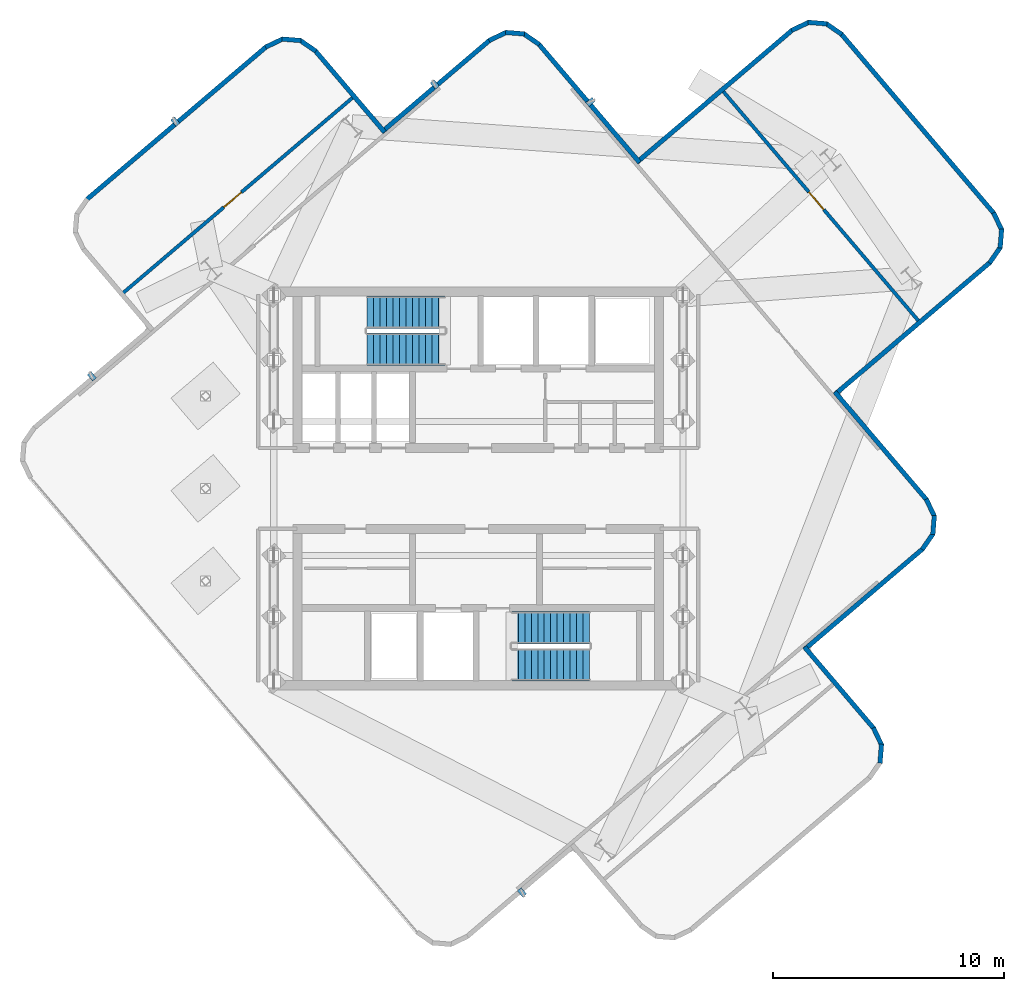
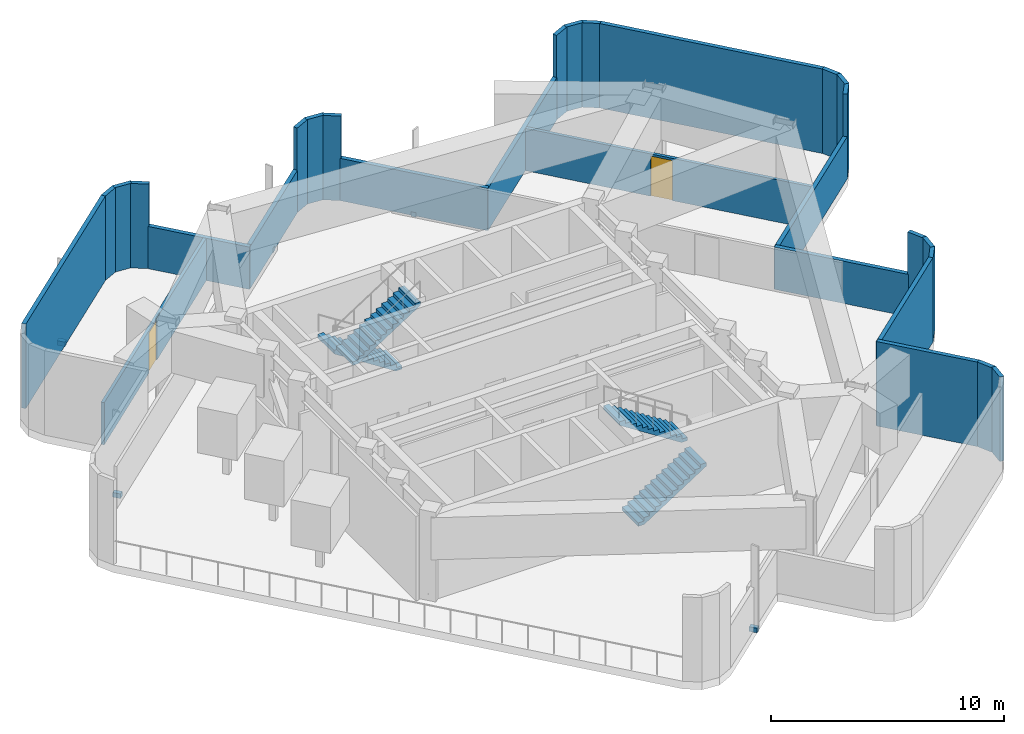
# One storey, part 4 of 7: 29 walls, 5 discrete accessories, 4 stair flights, 2 doors, 2 openings, 2 elements without a shape of their own.
"""IFC4 building model written with IfcOpenShell, lengths in metres."""

from ifc_helpers import new_model, si_unit, direction, frame, frame_2d, origin, origin_2d, place, context, subcontext, project, spatial, polyline, rectangle, outline, extrude, material, layer, layer_set, type_object, element, fill, aggregate, save


model = new_model("IFC4")

# Units and contexts
model_context = context("Model", 3, precision=1e-05, world=origin(), true_north=direction((0.0, 1.0)))
body_context = subcontext(model_context, "Body", "Model", "MODEL_VIEW")
ifc_project = project(units=[si_unit("LENGTHUNIT", "METRE"), si_unit("AREAUNIT", "SQUARE_METRE"), si_unit("VOLUMEUNIT", "CUBIC_METRE"), si_unit("PLANEANGLEUNIT", "RADIAN"), si_unit("MASSUNIT", "GRAM", prefix="KILO")], contexts=[model_context])

# Site, building, storey
site_placement = place(None, origin())
site = spatial("IfcSite", under=ifc_project, at=site_placement, CompositionType="ELEMENT")
building_placement = place(site_placement, origin())
building = spatial("IfcBuilding", under=site, at=building_placement, Name="Solmarez Civic Tower", CompositionType="ELEMENT")
storey_placement = place(building_placement, frame((0.0, 0.0, 239.39990234375)))
storey = spatial("IfcBuildingStorey", under=building, at=storey_placement, Name="L64", CompositionType="ELEMENT", Elevation=239.39990234375)

# Walls
ifc_material_1 = material(Name="Precast concrete C40/50", Category="concrete")
ifc_layer_1 = layer(ifc_material_1, 0.199951171875)
ifc_layer_set_1 = layer_set([ifc_layer_1], Name="Precast concrete C40/50")
wall_type_1 = type_object("IfcWallType", Name="WALL-EXT-200", PredefinedType="SOLIDWALL", material=ifc_layer_set_1)
wall_1_placement = place(storey_placement, frame((-16.950927734375, 12.492919921875, 0.0), z_axis=(0.0, 0.0, 1.0), x_axis=(0.761554435907, 0.648100949814, 0.0)))
element("IfcWall", 1, at=wall_1_placement, inside=storey, type_object=wall_type_1, Name="L64 Exterior Precast Wall 17", PredefinedType="SOLIDWALL", context=body_context, shape_type="SweptSolid", body=[
    extrude(rectangle(XDim=10.2236328125, YDim=0.199951171875, at=frame_2d((5.11181640625, 0.0))), origin(), (0.0, 0.0, 1.0), 4.420166015625),
])
wall_2_placement = place(storey_placement, frame((-9.20703125, 19.092041015625, 0.0), z_axis=(0.0, 0.0, 1.0), x_axis=(0.903376142734, 0.428849093201, 0.0)))
element("IfcWall", 2, at=wall_2_placement, inside=storey, type_object=wall_type_1, Name="L64 Exterior Precast Wall 18", PredefinedType="SOLIDWALL", context=body_context, shape_type="SweptSolid", body=[
    extrude(rectangle(XDim=0.839111328125, YDim=0.199951171875, at=frame_2d((0.41943359375, 0.0))), origin(), (0.0, 0.0, 1.0), 4.420166015625),
])
wall_3_placement = place(storey_placement, frame((-8.4970703125, 19.443115234375, 0.0), z_axis=(0.0, 0.0, 1.0), x_axis=(0.996776567966, -0.080227635853, 0.0)))
element("IfcWall", 3, at=wall_3_placement, inside=storey, type_object=wall_type_1, Name="L64 Exterior Precast Wall 19", PredefinedType="SOLIDWALL", context=body_context, shape_type="SweptSolid", body=[
    extrude(rectangle(XDim=0.82470703125, YDim=0.199951171875, at=frame_2d((0.412353515625, 0.0))), origin(), (0.0, 0.0, 1.0), 4.420166015625),
])
wall_4_placement = place(storey_placement, frame((-7.720947265625, 19.39306640625, 0.0), z_axis=(0.0, 0.0, 1.0), x_axis=(0.823447180448, -0.567392933524, 0.0)))
element("IfcWall", 4, at=wall_4_placement, inside=storey, type_object=wall_type_1, Name="L64 Exterior Precast Wall 20", PredefinedType="SOLIDWALL", context=body_context, shape_type="SweptSolid", body=[
    extrude(rectangle(XDim=0.839111328125, YDim=0.199951171875, at=frame_2d((0.41943359375, 0.0))), origin(), (0.0, 0.0, 1.0), 4.420166015625),
])
wall_5_placement = place(storey_placement, frame((-7.06689453125, 18.949951171875, 0.0), z_axis=(0.0, 0.0, 1.0), x_axis=(0.648040740079, -0.761605671721, 0.0)))
element("IfcWall", 5, at=wall_5_placement, inside=storey, type_object=wall_type_1, Name="L64 Exterior Precast Wall 21", PredefinedType="SOLIDWALL", context=body_context, shape_type="SweptSolid", body=[
    extrude(rectangle(XDim=4.641357421875, YDim=0.199951171875, at=frame_2d((2.32080078125, 0.0))), origin(), (0.0, 0.0, 1.0), 2.212158203125),
])
wall_6_placement = place(storey_placement, frame((-4.172119140625, 15.424072265625, 0.0), z_axis=(0.0, 0.0, 1.0), x_axis=(0.761580290689, 0.648070567789, 0.0)))
element("IfcWall", 6, at=wall_6_placement, inside=storey, type_object=wall_type_1, Name="L64 Exterior Precast Wall 24", PredefinedType="SOLIDWALL", context=body_context, shape_type="SweptSolid", body=[
    extrude(rectangle(XDim=6.142822265625, YDim=0.199951171875, at=frame_2d((3.0712890625, 0.0))), origin(), (0.0, 0.0, 1.0), 2.212158203125),
])
wall_7_placement = place(storey_placement, frame((0.464111328125, 19.3779296875, 0.0), z_axis=(0.0, 0.0, 1.0), x_axis=(0.903209829664, 0.429199258619, 0.0)))
element("IfcWall", 7, at=wall_7_placement, inside=storey, type_object=wall_type_1, Name="L64 Exterior Precast Wall 25", PredefinedType="SOLIDWALL", context=body_context, shape_type="SweptSolid", body=[
    extrude(rectangle(XDim=0.839111328125, YDim=0.199951171875, at=frame_2d((0.41943359375, 0.0))), origin(), (0.0, 0.0, 1.0), 4.420166015625),
])
wall_8_placement = place(storey_placement, frame((1.174072265625, 19.72900390625, 0.0), z_axis=(0.0, 0.0, 1.0), x_axis=(0.996800199392, -0.079933487923, 0.0)))
element("IfcWall", 8, at=wall_8_placement, inside=storey, type_object=wall_type_1, Name="L64 Exterior Precast Wall 26", PredefinedType="SOLIDWALL", context=body_context, shape_type="SweptSolid", body=[
    extrude(rectangle(XDim=0.82470703125, YDim=0.199951171875, at=frame_2d((0.412353515625, 0.0))), origin(), (0.0, 0.0, 1.0), 4.420166015625),
])
wall_9_placement = place(storey_placement, frame((1.949951171875, 19.678955078125, 0.0), z_axis=(0.0, 0.0, 1.0), x_axis=(0.823540820379, -0.567257011565, 0.0)))
element("IfcWall", 9, at=wall_9_placement, inside=storey, type_object=wall_type_1, Name="L64 Exterior Precast Wall 27", PredefinedType="SOLIDWALL", context=body_context, shape_type="SweptSolid", body=[
    extrude(rectangle(XDim=0.83935546875, YDim=0.199951171875, at=frame_2d((0.419677734375, 0.0))), origin(), (0.0, 0.0, 1.0), 4.420166015625),
])
wall_10_placement = place(storey_placement, frame((2.60400390625, 19.236083984375, 0.0), z_axis=(0.0, 0.0, 1.0), x_axis=(0.648076175867, -0.761575518431, 0.0)))
element("IfcWall", 10, at=wall_10_placement, inside=storey, type_object=wall_type_1, Name="L64 Exterior Precast Wall 28", PredefinedType="SOLIDWALL", context=body_context, shape_type="SweptSolid", body=[
    extrude(rectangle(XDim=6.7412109375, YDim=0.199951171875, at=frame_2d((3.37060546875, 0.0))), origin(), (0.0, 0.0, 1.0), 2.212158203125),
])
wall_11_placement = place(storey_placement, frame((6.860107421875, 14.111083984375, 0.0), z_axis=(0.0, 0.0, 1.0), x_axis=(0.761539969586, 0.648117948157, 0.0)))
element("IfcWall", 11, at=wall_11_placement, inside=storey, type_object=wall_type_1, Name="L64 Exterior Precast Wall 31", PredefinedType="SOLIDWALL", context=body_context, shape_type="SweptSolid", body=[
    extrude(rectangle(XDim=8.842529296875, YDim=0.199951171875, at=frame_2d((4.42138671875, 0.0))), origin(), (0.0, 0.0, 1.0), 2.212158203125),
])
wall_12_placement = place(storey_placement, frame((13.552001953125, 19.81494140625, 0.0), z_axis=(0.0, 0.0, 1.0), x_axis=(0.903263411017, 0.429086483494, 0.0)))
element("IfcWall", 12, at=wall_12_placement, inside=storey, type_object=wall_type_1, Name="L64 Exterior Precast Wall 32", PredefinedType="SOLIDWALL", context=body_context, shape_type="SweptSolid", body=[
    extrude(rectangle(XDim=0.83935546875, YDim=0.199951171875, at=frame_2d((0.419677734375, 0.0))), origin(), (0.0, 0.0, 1.0), 4.420166015625),
])
wall_13_placement = place(storey_placement, frame((14.261962890625, 20.166015625, 0.0), z_axis=(0.0, 0.0, 1.0), x_axis=(0.996800199392, -0.079933487923, 0.0)))
element("IfcWall", 13, at=wall_13_placement, inside=storey, type_object=wall_type_1, Name="L64 Exterior Precast Wall 33", PredefinedType="SOLIDWALL", context=body_context, shape_type="SweptSolid", body=[
    extrude(rectangle(XDim=0.82470703125, YDim=0.199951171875, at=frame_2d((0.412353515625, 0.0))), origin(), (0.0, 0.0, 1.0), 4.420166015625),
])
wall_14_placement = place(storey_placement, frame((15.0380859375, 20.115966796875, 0.0), z_axis=(0.0, 0.0, 1.0), x_axis=(0.823447180448, -0.567392933524, 0.0)))
element("IfcWall", 14, at=wall_14_placement, inside=storey, type_object=wall_type_1, Name="L64 Exterior Precast Wall 34", PredefinedType="SOLIDWALL", context=body_context, shape_type="SweptSolid", body=[
    extrude(rectangle(XDim=0.839111328125, YDim=0.199951171875, at=frame_2d((0.41943359375, 0.0))), origin(), (0.0, 0.0, 1.0), 4.420166015625),
])
wall_15_placement = place(storey_placement, frame((15.69189453125, 19.673095703125, 0.0), z_axis=(0.0, 0.0, 1.0), x_axis=(0.648033760004, -0.761611610925, 0.0)))
element("IfcWall", 15, at=wall_15_placement, inside=storey, type_object=wall_type_1, Name="L64 Exterior Precast Wall 35", PredefinedType="SOLIDWALL", context=body_context, shape_type="SweptSolid", body=[
    extrude(rectangle(XDim=10.22314453125, YDim=0.199951171875, at=frame_2d((5.111572265625, 0.0))), origin(), (0.0, 0.0, 1.0), 4.420166015625),
])
wall_16_placement = place(storey_placement, frame((22.2900390625, 11.928955078125, 0.0), z_axis=(0.0, 0.0, 1.0), x_axis=(0.428849093201, -0.903376142734, 0.0)))
element("IfcWall", 16, at=wall_16_placement, inside=storey, type_object=wall_type_1, Name="L64 Exterior Precast Wall 36", PredefinedType="SOLIDWALL", context=body_context, shape_type="SweptSolid", body=[
    extrude(rectangle(XDim=0.839111328125, YDim=0.199951171875, at=frame_2d((0.41943359375, 0.0))), origin(), (0.0, 0.0, 1.0), 4.420166015625),
])
wall_17_placement = place(storey_placement, frame((22.64111328125, 11.218994140625, 0.0), z_axis=(0.0, 0.0, 1.0), x_axis=(-0.080227635853, -0.996776567966, 0.0)))
element("IfcWall", 17, at=wall_17_placement, inside=storey, type_object=wall_type_1, Name="L64 Exterior Precast Wall 37", PredefinedType="SOLIDWALL", context=body_context, shape_type="SweptSolid", body=[
    extrude(rectangle(XDim=0.82470703125, YDim=0.199951171875, at=frame_2d((0.412353515625, 0.0))), origin(), (0.0, 0.0, 1.0), 4.420166015625),
])
wall_18_placement = place(storey_placement, frame((22.591064453125, 10.443115234375, 0.0), z_axis=(0.0, 0.0, 1.0), x_axis=(-0.56646705089, -0.824084389038, 0.0)))
element("IfcWall", 18, at=wall_18_placement, inside=storey, type_object=wall_type_1, Name="L64 Exterior Precast Wall 38", PredefinedType="SOLIDWALL", context=body_context, shape_type="SweptSolid", body=[
    extrude(rectangle(XDim=0.838623046875, YDim=0.199951171875, at=frame_2d((0.41943359375, 0.0))), origin(), (0.0, 0.0, 1.0), 4.420166015625),
])
wall_19_placement = place(storey_placement, frame((22.14892578125, 9.7890625, 0.0), z_axis=(0.0, 0.0, 1.0), x_axis=(-0.761594480481, -0.648053892281, 0.0)))
element("IfcWall", 19, at=wall_19_placement, inside=storey, type_object=wall_type_1, Name="L64 Exterior Precast Wall 39", PredefinedType="SOLIDWALL", context=body_context, shape_type="SweptSolid", body=[
    extrude(rectangle(XDim=8.841796875, YDim=0.199951171875, at=frame_2d((4.4208984375, 0.0))), origin(), (0.0, 0.0, 1.0), 2.212158203125),
])
wall_20_placement = place(storey_placement, frame((15.424072265625, 4.172119140625, 0.0), z_axis=(0.0, 0.0, 1.0), x_axis=(0.648070567789, -0.761580290689, 0.0)))
element("IfcWall", 20, at=wall_20_placement, inside=storey, type_object=wall_type_1, Name="L64 Exterior Precast Wall 42", PredefinedType="SOLIDWALL", context=body_context, shape_type="SweptSolid", body=[
    extrude(rectangle(XDim=6.142822265625, YDim=0.199951171875, at=frame_2d((3.0712890625, 0.0))), origin(), (0.0, 0.0, 1.0), 2.212158203125),
])
wall_21_placement = place(storey_placement, frame((19.3779296875, -0.464111328125, 0.0), z_axis=(0.0, 0.0, 1.0), x_axis=(0.429199258619, -0.903209829664, 0.0)))
element("IfcWall", 21, at=wall_21_placement, inside=storey, type_object=wall_type_1, Name="L64 Exterior Precast Wall 43", PredefinedType="SOLIDWALL", context=body_context, shape_type="SweptSolid", body=[
    extrude(rectangle(XDim=0.839111328125, YDim=0.199951171875, at=frame_2d((0.41943359375, 0.0))), origin(), (0.0, 0.0, 1.0), 4.420166015625),
])
wall_22_placement = place(storey_placement, frame((19.72900390625, -1.174072265625, 0.0), z_axis=(0.0, 0.0, 1.0), x_axis=(-0.079933487923, -0.996800199392, 0.0)))
element("IfcWall", 22, at=wall_22_placement, inside=storey, type_object=wall_type_1, Name="L64 Exterior Precast Wall 44", PredefinedType="SOLIDWALL", context=body_context, shape_type="SweptSolid", body=[
    extrude(rectangle(XDim=0.82470703125, YDim=0.199951171875, at=frame_2d((0.412353515625, 0.0))), origin(), (0.0, 0.0, 1.0), 4.420166015625),
])
wall_23_placement = place(storey_placement, frame((19.678955078125, -1.949951171875, 0.0), z_axis=(0.0, 0.0, 1.0), x_axis=(-0.567257011565, -0.823540820379, 0.0)))
element("IfcWall", 23, at=wall_23_placement, inside=storey, type_object=wall_type_1, Name="L64 Exterior Precast Wall 45", PredefinedType="SOLIDWALL", context=body_context, shape_type="SweptSolid", body=[
    extrude(rectangle(XDim=0.83935546875, YDim=0.199951171875, at=frame_2d((0.419677734375, 0.0))), origin(), (0.0, 0.0, 1.0), 4.420166015625),
])
wall_24_placement = place(storey_placement, frame((19.236083984375, -2.60400390625, 0.0), z_axis=(0.0, 0.0, 1.0), x_axis=(-0.761575518431, -0.648076175867, 0.0)))
element("IfcWall", 24, at=wall_24_placement, inside=storey, type_object=wall_type_1, Name="L64 Exterior Precast Wall 46", PredefinedType="SOLIDWALL", context=body_context, shape_type="SweptSolid", body=[
    extrude(rectangle(XDim=6.7412109375, YDim=0.199951171875, at=frame_2d((3.37060546875, 0.0))), origin(), (0.0, 0.0, 1.0), 4.420166015625),
])
wall_25_placement = place(storey_placement, frame((14.111083984375, -6.860107421875, 0.0), z_axis=(0.0, 0.0, 1.0), x_axis=(0.648040740079, -0.761605671721, 0.0)))
element("IfcWall", 25, at=wall_25_placement, inside=storey, type_object=wall_type_1, Name="L64 Exterior Precast Wall 49", PredefinedType="SOLIDWALL", context=body_context, shape_type="SweptSolid", body=[
    extrude(rectangle(XDim=4.641357421875, YDim=0.199951171875, at=frame_2d((2.32080078125, 0.0))), origin(), (0.0, 0.0, 1.0), 4.420166015625),
])
wall_26_placement = place(storey_placement, frame((17.092041015625, -10.35302734375, 0.0), z_axis=(0.0, 0.0, 1.0), x_axis=(0.42979812108, -0.902925010793, 0.0)))
element("IfcWall", 26, at=wall_26_placement, inside=storey, type_object=wall_type_1, Name="L64 Exterior Precast Wall 50", PredefinedType="SOLIDWALL", context=body_context, shape_type="SweptSolid", body=[
    extrude(rectangle(XDim=0.839599609375, YDim=0.199951171875, at=frame_2d((0.419921875, 0.0))), origin(), (0.0, 0.0, 1.0), 4.420166015625),
])
wall_27_placement = place(storey_placement, frame((17.444091796875, -11.06298828125, 0.0), z_axis=(0.0, 0.0, 1.0), x_axis=(-0.081404017248, -0.996681185724, 0.0)))
element("IfcWall", 27, at=wall_27_placement, inside=storey, type_object=wall_type_1, Name="L64 Exterior Precast Wall 51", PredefinedType="SOLIDWALL", context=body_context, shape_type="SweptSolid", body=[
    extrude(rectangle(XDim=0.82470703125, YDim=0.199951171875, at=frame_2d((0.412353515625, 0.0))), origin(), (0.0, 0.0, 1.0), 4.420166015625),
])

# Wall, opening, door
ifc_material_2 = material(Name="Gypsum Board Acoustic Steel-Stud Partition", Category="steel")
ifc_layer_2 = layer(ifc_material_2, 0.14990234375)
ifc_layer_set_2 = layer_set([ifc_layer_2], Name="Gypsum Board Acoustic Steel-Stud Partition")
wall_type_2 = type_object("IfcWallType", Name="WALL-INT-FIRE-150", PredefinedType="PARTITIONING", material=ifc_layer_set_2)
wall_28_placement = place(storey_placement, frame((10.580078125, 17.19189453125, 0.0), z_axis=(0.0, 0.0, 1.0), x_axis=(0.648136838455, -0.761523892362, 0.0)))
wall_28 = element("IfcWall", 28, at=wall_28_placement, inside=storey, type_object=wall_type_2, Name="L64 Interior Partition PT-L64-E-MID", PredefinedType="PARTITIONING", context=body_context, shape_type="SweptSolid", body=[
    extrude(rectangle(XDim=13.069580078125, YDim=0.14990234375, at=frame_2d((6.53466796875, 0.0))), origin(), (0.0, 0.0, 1.0), 2.212158203125),
])
opening_1_placement = place(wall_28_placement, frame((5.735107421875, 0.0, 0.0)))
opening_1 = element("IfcOpeningElement", 29, at=opening_1_placement, cuts=wall_28, Name="Opening D-04", PredefinedType="OPENING", context=body_context, shape_type="SweptSolid", body=[
    extrude(rectangle(XDim=1.0, YDim=2.10009765625, at=frame_2d((0.5, 1.050048828125))), frame((0.0, 0.0849609375, 0.0), z_axis=(0.0, -1.0, 0.0), x_axis=(1.0, 0.0, 0.0)), (0.0, 0.0, 1.0), 0.169921875),
])
ifc_material_3 = material(Name="Steel-Faced Acoustic Fire Door", Category="steel")
door_type = type_object("IfcDoorType", Name="DOOR-FD60-1000", OperationType="NOTDEFINED", PredefinedType="DOOR", material=ifc_material_3)
door_1_placement = place(opening_1_placement, origin())
door_1 = element("IfcDoor", 30, at=door_1_placement, inside=storey, type_object=door_type, Name="L64 East Outer Protected Refuge Area Door", OperationType="SINGLE_SWING_RIGHT", OverallHeight=2.10009765625, OverallWidth=1.0, PredefinedType="DOOR", context=body_context, shape_type="SweptSolid", body=[
    extrude(rectangle(XDim=1.0, YDim=2.10009765625, at=frame_2d((0.5, 1.050048828125))), frame((0.0, 0.02490234375, 0.0), z_axis=(0.0, -1.0, 0.0), x_axis=(1.0, 0.0, 0.0)), (0.0, 0.0, 1.0), 0.050048828125),
])
fill(opening_1, door_1)

wall_29_placement = place(storey_placement, frame((-15.3779296875, 8.448974609375, 0.0), z_axis=(0.0, 0.0, 1.0), x_axis=(0.761592155386, 0.648056624729, 0.0)))
wall_29 = element("IfcWall", 31, at=wall_29_placement, inside=storey, type_object=wall_type_2, Name="L64 Interior Partition PT-L64-N-MID", PredefinedType="PARTITIONING", context=body_context, shape_type="SweptSolid", body=[
    extrude(rectangle(XDim=13.06982421875, YDim=0.14990234375, at=frame_2d((6.534912109375, 0.0))), origin(), (0.0, 0.0, 1.0), 2.212158203125),
])
opening_2_placement = place(wall_29_placement, frame((5.735107421875, 0.0, 0.0)))
opening_2 = element("IfcOpeningElement", 32, at=opening_2_placement, cuts=wall_29, Name="Opening D-04", PredefinedType="OPENING", context=body_context, shape_type="SweptSolid", body=[
    extrude(rectangle(XDim=1.0, YDim=2.10009765625, at=frame_2d((0.5, 1.050048828125))), frame((0.0, 0.0849609375, 0.0), z_axis=(0.0, -1.0, 0.0), x_axis=(1.0, 0.0, 0.0)), (0.0, 0.0, 1.0), 0.169921875),
])
door_2_placement = place(opening_2_placement, origin())
door_2 = element("IfcDoor", 33, at=door_2_placement, inside=storey, type_object=door_type, Name="L64 Electrical Switchgear Plant Room Door", OperationType="SINGLE_SWING_RIGHT", OverallHeight=2.10009765625, OverallWidth=1.0, PredefinedType="DOOR", context=body_context, shape_type="SweptSolid", body=[
    extrude(rectangle(XDim=1.0, YDim=2.10009765625, at=frame_2d((0.5, 1.050048828125))), frame((0.0, 0.02490234375, 0.0), z_axis=(0.0, -1.0, 0.0), x_axis=(1.0, 0.0, 0.0)), (0.0, 0.0, 1.0), 0.050048828125),
])
fill(opening_2, door_2)

# Stair, stair flights
ifc_material_4 = material(Name="Concrete C50/60", Category="concrete")
stair_type = type_object("IfcStairType", Name="STAIR-DOGLEG-140W-26R-1800", PredefinedType="HALF_TURN_STAIR", material=ifc_material_4)
stair_1_placement = place(storey_placement, origin())
stair_1 = element("IfcStair", 34, at=stair_1_placement, inside=storey, type_object=stair_type, Name="L64 North Core Protected Exit Stair ST-1", PredefinedType="HALF_TURN_STAIR")
stair_flight_type = type_object("IfcStairFlightType", Name="FLIGHT-DOGLEG-140W-13R-1800", PredefinedType="STRAIGHT", material=ifc_material_4)
stair_flight_1_placement = place(storey_placement, frame((-1.449951171875, 7.6201171875, 0.0), z_axis=(0.0, 0.0, 1.0), x_axis=(-1.0, 0.0, 0.0)))
stair_flight_1 = element("IfcStairFlight", 35, at=stair_flight_1_placement, type_object=stair_flight_type, Name="ST-1 flight 1", NumberOfRisers=13, NumberOfTreads=12, PredefinedType="STRAIGHT", RiserHeight=0.18, TreadLength=0.28, context=body_context, shape_type="SweptSolid", body=[
    extrude(outline(polyline([(0.0, 0.0), (0.0, 0.179931640625), (0.280029296875, 0.179931640625), (0.280029296875, 0.360107421875), (0.56005859375, 0.360107421875), (0.56005859375, 0.5400390625), (0.840087890625, 0.5400390625), (0.840087890625, 0.719970703125), (1.1201171875, 0.719970703125), (1.1201171875, 0.89990234375), (1.39990234375, 0.89990234375), (1.39990234375, 1.080078125), (1.679931640625, 1.080078125), (1.679931640625, 1.260009765625), (1.9599609375, 1.260009765625), (1.9599609375, 1.43994140625), (2.239990234375, 1.43994140625), (2.239990234375, 1.6201171875), (2.52001953125, 1.6201171875), (2.52001953125, 1.800048828125), (2.800048828125, 1.800048828125), (2.800048828125, 1.97998046875), (3.080078125, 1.97998046875), (3.080078125, 2.159912109375), (3.360107421875, 2.159912109375), (3.360107421875, 2.340087890625), (3.360107421875, 1.969970703125), (0.295654296875, 0.0), (0.0, 0.0)])), frame((0.0, 0.699951171875, 0.0), z_axis=(0.0, -1.0, 0.0), x_axis=(1.0, 0.0, 0.0)), (0.0, 0.0, 1.0), 1.39990234375),
])
stair_flight_2_placement = place(storey_placement, frame((-4.81005859375, 6.02001953125, 2.340087890625), z_axis=(0.0, 0.0, 1.0), x_axis=(1.0, 0.0, 0.0)))
stair_flight_2 = element("IfcStairFlight", 36, at=stair_flight_2_placement, type_object=stair_flight_type, Name="ST-1 flight 2", NumberOfRisers=13, NumberOfTreads=12, PredefinedType="STRAIGHT", RiserHeight=0.18, TreadLength=0.28, context=body_context, shape_type="SweptSolid", body=[
    extrude(outline(polyline([(0.0, 0.0), (0.0, 0.179931640625), (0.280029296875, 0.179931640625), (0.280029296875, 0.360107421875), (0.56005859375, 0.360107421875), (0.56005859375, 0.5400390625), (0.840087890625, 0.5400390625), (0.840087890625, 0.719970703125), (1.1201171875, 0.719970703125), (1.1201171875, 0.89990234375), (1.39990234375, 0.89990234375), (1.39990234375, 1.080078125), (1.679931640625, 1.080078125), (1.679931640625, 1.260009765625), (1.9599609375, 1.260009765625), (1.9599609375, 1.43994140625), (2.239990234375, 1.43994140625), (2.239990234375, 1.6201171875), (2.52001953125, 1.6201171875), (2.52001953125, 1.800048828125), (2.800048828125, 1.800048828125), (2.800048828125, 1.97998046875), (3.080078125, 1.97998046875), (3.080078125, 2.159912109375), (3.360107421875, 2.159912109375), (3.360107421875, 2.340087890625), (3.360107421875, 1.969970703125), (0.295654296875, 0.0), (0.0, 0.0)])), frame((0.0, 0.699951171875, 0.0), z_axis=(0.0, -1.0, 0.0), x_axis=(1.0, 0.0, 0.0)), (0.0, 0.0, 1.0), 1.39990234375),
])
aggregate(stair_1, [stair_flight_1, stair_flight_2])

stair_2_placement = place(storey_placement, origin())
stair_2 = element("IfcStair", 37, at=stair_2_placement, inside=storey, type_object=stair_type, Name="L64 South Core Protected Exit Stair ST-2", PredefinedType="HALF_TURN_STAIR")
stair_flight_3_placement = place(storey_placement, frame((1.449951171875, -7.6201171875, 0.0), z_axis=(0.0, 0.0, 1.0), x_axis=(1.0, 0.0, 0.0)))
stair_flight_3 = element("IfcStairFlight", 38, at=stair_flight_3_placement, type_object=stair_flight_type, Name="ST-2 flight 1", NumberOfRisers=13, NumberOfTreads=12, PredefinedType="STRAIGHT", RiserHeight=0.18, TreadLength=0.28, context=body_context, shape_type="SweptSolid", body=[
    extrude(outline(polyline([(0.0, 0.0), (0.0, 0.179931640625), (0.280029296875, 0.179931640625), (0.280029296875, 0.360107421875), (0.56005859375, 0.360107421875), (0.56005859375, 0.5400390625), (0.840087890625, 0.5400390625), (0.840087890625, 0.719970703125), (1.1201171875, 0.719970703125), (1.1201171875, 0.89990234375), (1.39990234375, 0.89990234375), (1.39990234375, 1.080078125), (1.679931640625, 1.080078125), (1.679931640625, 1.260009765625), (1.9599609375, 1.260009765625), (1.9599609375, 1.43994140625), (2.239990234375, 1.43994140625), (2.239990234375, 1.6201171875), (2.52001953125, 1.6201171875), (2.52001953125, 1.800048828125), (2.800048828125, 1.800048828125), (2.800048828125, 1.97998046875), (3.080078125, 1.97998046875), (3.080078125, 2.159912109375), (3.360107421875, 2.159912109375), (3.360107421875, 2.340087890625), (3.360107421875, 1.969970703125), (0.295654296875, 0.0), (0.0, 0.0)])), frame((0.0, 0.699951171875, 0.0), z_axis=(0.0, -1.0, 0.0), x_axis=(1.0, 0.0, 0.0)), (0.0, 0.0, 1.0), 1.39990234375),
])
stair_flight_4_placement = place(storey_placement, frame((4.81005859375, -6.02001953125, 2.340087890625), z_axis=(0.0, 0.0, 1.0), x_axis=(-1.0, 0.0, 0.0)))
stair_flight_4 = element("IfcStairFlight", 39, at=stair_flight_4_placement, type_object=stair_flight_type, Name="ST-2 flight 2", NumberOfRisers=13, NumberOfTreads=12, PredefinedType="STRAIGHT", RiserHeight=0.18, TreadLength=0.28, context=body_context, shape_type="SweptSolid", body=[
    extrude(outline(polyline([(0.0, 0.0), (0.0, 0.179931640625), (0.280029296875, 0.179931640625), (0.280029296875, 0.360107421875), (0.56005859375, 0.360107421875), (0.56005859375, 0.5400390625), (0.840087890625, 0.5400390625), (0.840087890625, 0.719970703125), (1.1201171875, 0.719970703125), (1.1201171875, 0.89990234375), (1.39990234375, 0.89990234375), (1.39990234375, 1.080078125), (1.679931640625, 1.080078125), (1.679931640625, 1.260009765625), (1.9599609375, 1.260009765625), (1.9599609375, 1.43994140625), (2.239990234375, 1.43994140625), (2.239990234375, 1.6201171875), (2.52001953125, 1.6201171875), (2.52001953125, 1.800048828125), (2.800048828125, 1.800048828125), (2.800048828125, 1.97998046875), (3.080078125, 1.97998046875), (3.080078125, 2.159912109375), (3.360107421875, 2.159912109375), (3.360107421875, 2.340087890625), (3.360107421875, 1.969970703125), (0.295654296875, 0.0), (0.0, 0.0)])), frame((0.0, 0.699951171875, 0.0), z_axis=(0.0, -1.0, 0.0), x_axis=(1.0, 0.0, 0.0)), (0.0, 0.0, 1.0), 1.39990234375),
])
aggregate(stair_2, [stair_flight_3, stair_flight_4])

# Discrete accessories
ifc_material_5 = material(Name="Stainless Steel Grade 1.4401", Category="steel")
discrete_accessory_type = type_object("IfcDiscreteAccessoryType", Name="BRACKET-SS-FIN", PredefinedType="BRACKET", material=ifc_material_5)
for number, where, z_axis, x_axis, name in (
    (40, (1.885009765625, -17.47509765625, -0.06005859375), (0.0, 0.0, 1.0), (0.648100235948, -0.761555043424, 0.0), "L64 Stainless Fin Support Bracket LVR-L64-01"),
    (41, (-16.720947265625, 4.84912109375, -0.06005859375), (0.0, 0.0, 1.0), (-0.648094457946, 0.761559960594, 0.0), "L64 Stainless Fin Support Bracket LVR-L64-02"),
    (42, (-13.110107421875, 15.866943359375, -0.06005859375), (0.0, 0.0, 1.0), (-0.64811620392, 0.761541454037, 0.0), "L64 Stainless Fin Support Bracket LVR-L64-03"),
    (43, (-1.885009765625, 17.47509765625, -0.06005859375), (0.0, 0.0, 1.0), (-0.648100235948, 0.761555043424, 0.0), "L64 Stainless Fin Support Bracket LVR-L64-04"),
    (44, (4.84912109375, 16.720947265625, -0.06005859375), (0.0, 0.0, 1.0), (0.761559960594, 0.648094457946, 0.0), "L64 Stainless Fin Support Bracket LVR-L64-05"),
):
    element("IfcDiscreteAccessory", number, at=place(storey_placement, frame(where, z_axis=z_axis, x_axis=x_axis)), inside=storey, type_object=discrete_accessory_type, Name=name, PredefinedType="BRACKET", context=body_context, shape_type="SweptSolid", body=[
        extrude(rectangle(XDim=0.360107421875, YDim=0.219970703125, at=origin_2d()), origin(), (0.0, 0.0, 1.0), 0.239990234375),
    ])

save(model, "model.ifc")
